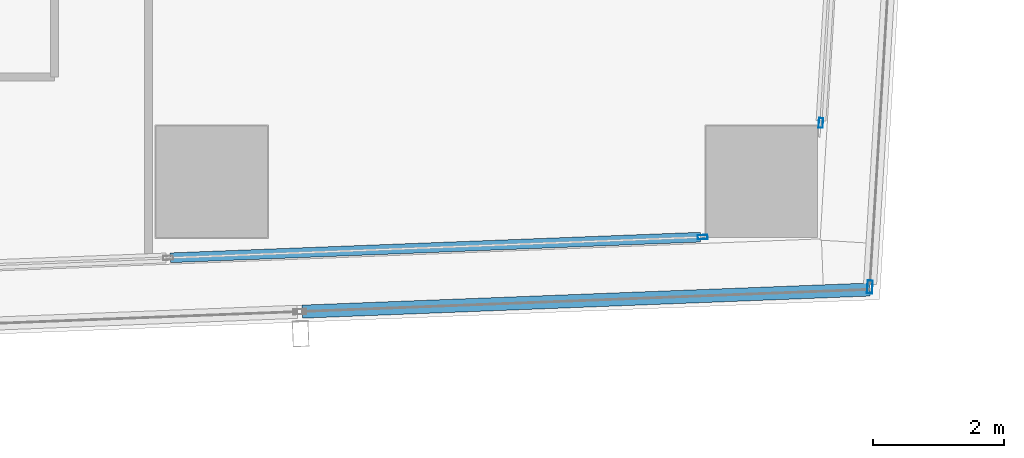
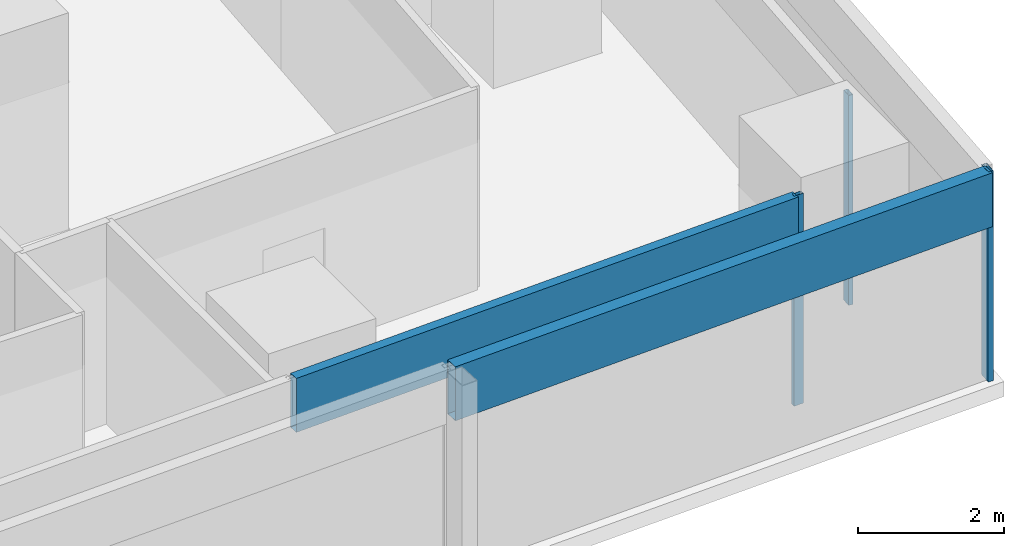
# One storey, part 12 of 40: 5 members, 4 elements without a shape of their own.
"""IFC4 building model written with IfcOpenShell, lengths in metres."""

from ifc_helpers import new_model, si_unit, direction, frame, origin, origin_2d, place, context, subcontext, project, spatial, hollow_rectangle, extrude, material, material_profile, profile_set, type_object, element, aggregate, save


model = new_model("IFC4")

# Units and contexts
model_context = context("Model", 3, precision=1e-05, world=origin(), true_north=direction((0.0, 1.0)))
body_context = subcontext(model_context, "Body", "Model", "MODEL_VIEW")
ifc_project = project(units=[si_unit("LENGTHUNIT", "METRE"), si_unit("AREAUNIT", "SQUARE_METRE"), si_unit("VOLUMEUNIT", "CUBIC_METRE"), si_unit("PLANEANGLEUNIT", "RADIAN"), si_unit("MASSUNIT", "GRAM", prefix="KILO")], contexts=[model_context])

# Site, building, storey
site_placement = place(None, origin())
site = spatial("IfcSite", under=ifc_project, at=site_placement, CompositionType="ELEMENT")
building_placement = place(site_placement, origin())
building = spatial("IfcBuilding", under=site, at=building_placement, Name="Rekha Terrace Tower", CompositionType="ELEMENT")
storey_placement = place(building_placement, frame((0.0, 0.0, 106.550048828125)))
storey = spatial("IfcBuildingStorey", under=building, at=storey_placement, Name="L26", CompositionType="ELEMENT", Elevation=106.550048828125)

# Curtain wall, member
ifc_material_1 = material(Name="Aluminium framing", Category="aluminium")
curtain_wall_type_1 = type_object("IfcCurtainWallType", Name="CW1 double skin inner glazing", PredefinedType="USERDEFINED", material=ifc_material_1)
curtain_wall_1_placement = place(storey_placement, origin())
curtain_wall_1 = element("IfcCurtainWall", 1, at=curtain_wall_1_placement, inside=storey, type_object=curtain_wall_type_1, Name="CW1 double skin inner glazing", ObjectType="DOUBLE SKIN INNER GLAZING", PredefinedType="USERDEFINED")
ifc_material_2 = material(Name="Aluminium mullion section", Category="aluminium")
ifc_material_profile_1 = material_profile(ifc_material_2, hollow_rectangle(XDim=0.06494140625, YDim=0.14990234375, WallThickness=0.00390625, at=origin_2d()), Name="AL RHS 65x150")
ifc_profile_set_1 = profile_set([ifc_material_profile_1], Name="Aluminium mullion section")
member_type_1 = type_object("IfcMemberType", Name="CW1 mullion RHS 65 x 150", PredefinedType="MULLION", material=ifc_profile_set_1)
member_1_placement = place(storey_placement, frame((66.29736328125, 15.95556640625, 0.0), z_axis=(0.0, 0.0, 1.0), x_axis=(-0.038889971345, 0.999243498917, 0.0)))
member_1 = element("IfcMember", 2, at=member_1_placement, type_object=member_type_1, Name="CW1 mullion 6", PredefinedType="MULLION", context=body_context, shape_type="SweptSolid", body=[
    extrude(hollow_rectangle(XDim=0.06494140625, YDim=0.14990234375, WallThickness=0.00390625, at=origin_2d()), origin(), (0.0, 0.0, 1.0), 3.5),
])

curtain_wall_2_placement = place(storey_placement, origin())
curtain_wall_2 = element("IfcCurtainWall", 3, at=curtain_wall_2_placement, inside=storey, type_object=curtain_wall_type_1, Name="CW1 double skin inner glazing", ObjectType="DOUBLE SKIN INNER GLAZING", PredefinedType="USERDEFINED")
member_2_placement = place(storey_placement, frame((68.103515625, 17.69921875, 0.0), z_axis=(0.0, 0.0, 1.0), x_axis=(-0.998127987024, 0.061159803131, 0.0)))
member_2 = element("IfcMember", 4, at=member_2_placement, type_object=member_type_1, Name="CW1 mullion 1", PredefinedType="MULLION", context=body_context, shape_type="SweptSolid", body=[
    extrude(hollow_rectangle(XDim=0.06494140625, YDim=0.14990234375, WallThickness=0.00390625, at=origin_2d()), origin(), (0.0, 0.0, 1.0), 3.5),
])
aggregate(curtain_wall_2, [member_2])

# Member
ifc_material_3 = material(Name="Insulated aluminium spandrel box", Category="aluminium")
ifc_material_profile_2 = material_profile(ifc_material_3, hollow_rectangle(XDim=0.14990234375, YDim=0.89990234375, WallThickness=0.0029296875, at=origin_2d()), Name="AL SPANDREL BOX 150x900")
ifc_profile_set_2 = profile_set([ifc_material_profile_2], Name="Insulated aluminium spandrel box")
member_type_2 = type_object("IfcMemberType", Name="CW1 spandrel transom 150 x 900", PredefinedType="USERDEFINED", material=ifc_profile_set_2)
member_3_placement = place(storey_placement, frame((58.165771484375, 15.63916015625, 3.050048828125), z_axis=(0.999243585207, 0.038887754153, 0.0), x_axis=(-0.038887754153, 0.999243585207, 0.0)))
member_3 = element("IfcMember", 5, at=member_3_placement, type_object=member_type_2, Name="CW1 spandrel transom 5", ObjectType="TRANSOM", PredefinedType="USERDEFINED", context=body_context, shape_type="SweptSolid", body=[
    extrude(hollow_rectangle(XDim=0.14990234375, YDim=0.89990234375, WallThickness=0.0029296875, at=origin_2d()), origin(), (0.0, 0.0, 1.0), 8.10498046875),
])

aggregate(curtain_wall_1, [member_1, member_3])

# Curtain wall, member
curtain_wall_type_2 = type_object("IfcCurtainWallType", Name="CW2 double skin outer glazing", PredefinedType="USERDEFINED", material=ifc_material_1)
curtain_wall_3_placement = place(storey_placement, origin())
curtain_wall_3 = element("IfcCurtainWall", 6, at=curtain_wall_3_placement, inside=storey, type_object=curtain_wall_type_2, Name="CW2 double skin outer glazing", ObjectType="DOUBLE SKIN OUTER GLAZING", PredefinedType="USERDEFINED")
ifc_material_profile_3 = material_profile(ifc_material_2, hollow_rectangle(XDim=0.080078125, YDim=0.199951171875, WallThickness=0.00390625, at=origin_2d()), Name="AL RHS 80x200")
ifc_profile_set_3 = profile_set([ifc_material_profile_3], Name="Aluminium mullion section")
member_type_3 = type_object("IfcMemberType", Name="CW2 mullion RHS 80 x 200", PredefinedType="MULLION", material=ifc_profile_set_3)
member_4_placement = place(storey_placement, frame((68.8515625, 15.194091796875, 0.0), z_axis=(0.0, 0.0, 1.0), x_axis=(-0.998127987024, 0.061159803131, 0.0)))
member_4 = element("IfcMember", 7, at=member_4_placement, type_object=member_type_3, Name="CW2 mullion 1", PredefinedType="MULLION", context=body_context, shape_type="SweptSolid", body=[
    extrude(hollow_rectangle(XDim=0.080078125, YDim=0.199951171875, WallThickness=0.00390625, at=origin_2d()), origin(), (0.0, 0.0, 1.0), 3.5),
])
aggregate(curtain_wall_3, [member_4])

curtain_wall_4_placement = place(storey_placement, origin())
curtain_wall_4 = element("IfcCurtainWall", 8, at=curtain_wall_4_placement, inside=storey, type_object=curtain_wall_type_2, Name="CW2 double skin outer glazing", ObjectType="DOUBLE SKIN OUTER GLAZING", PredefinedType="USERDEFINED")
ifc_material_profile_4 = material_profile(ifc_material_3, hollow_rectangle(XDim=0.199951171875, YDim=0.89990234375, WallThickness=0.0029296875, at=origin_2d()), Name="AL SPANDREL BOX 200x900")
ifc_profile_set_4 = profile_set([ifc_material_profile_4], Name="Insulated aluminium spandrel box")
member_type_4 = type_object("IfcMemberType", Name="CW2 spandrel transom 200 x 900", PredefinedType="USERDEFINED", material=ifc_profile_set_4)
member_5_placement = place(storey_placement, frame((60.18408203125, 14.81689453125, 3.050048828125), z_axis=(0.99924276334, 0.038908866757, 0.0), x_axis=(-0.038908866757, 0.99924276334, 0.0)))
member_5 = element("IfcMember", 9, at=member_5_placement, type_object=member_type_4, Name="CW2 spandrel transom 5", ObjectType="TRANSOM", PredefinedType="USERDEFINED", context=body_context, shape_type="SweptSolid", body=[
    extrude(hollow_rectangle(XDim=0.199951171875, YDim=0.89990234375, WallThickness=0.0029296875, at=origin_2d()), origin(), (0.0, 0.0, 1.0), 8.671630859375),
])
aggregate(curtain_wall_4, [member_5])

save(model, "model.ifc")
